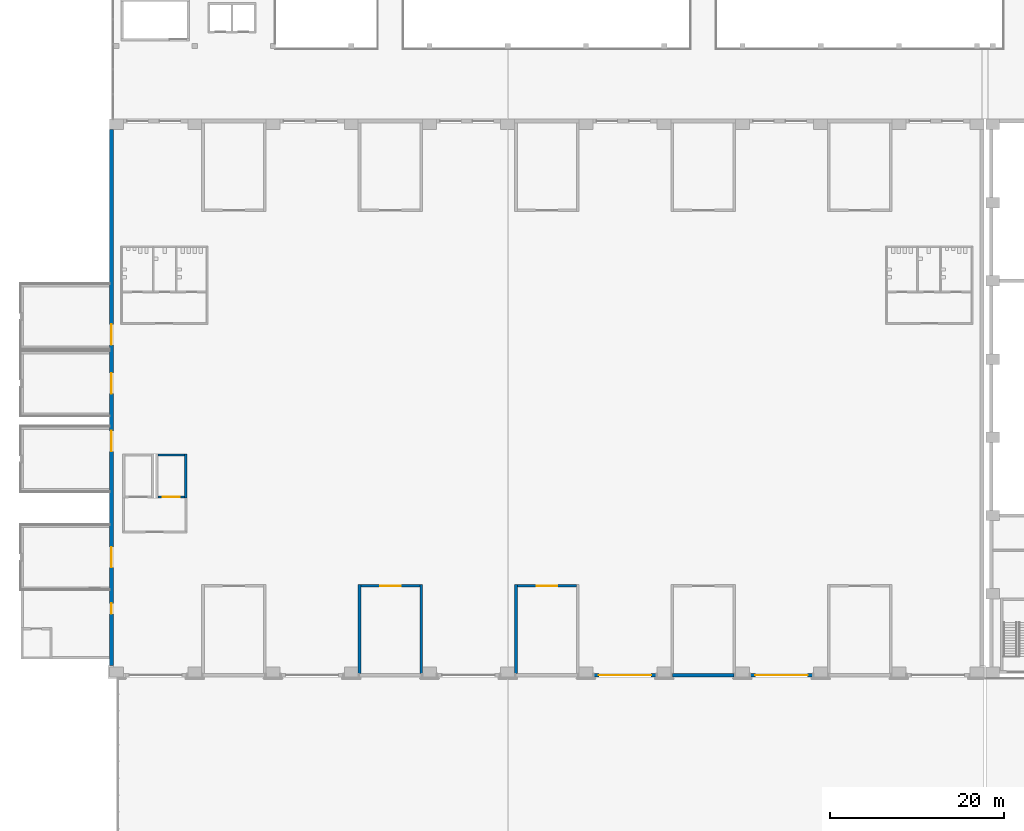
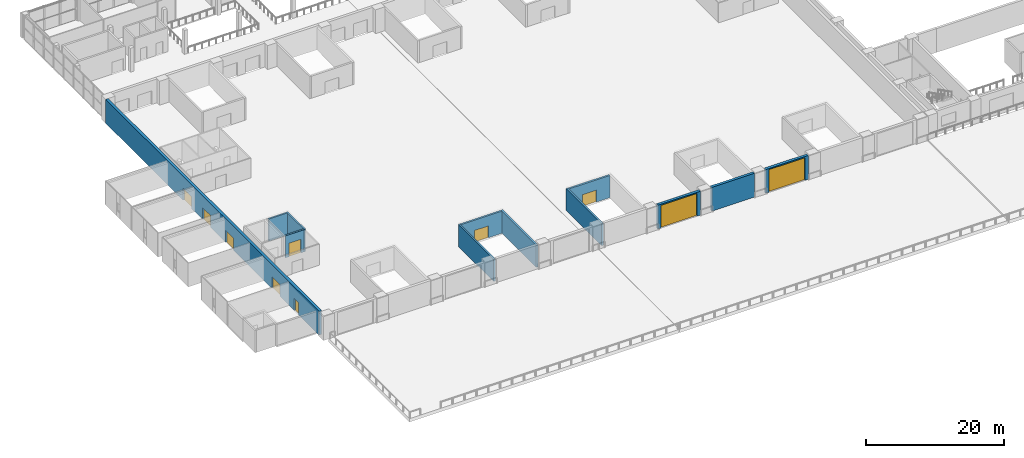
# One storey, part 15 of 39: 12 walls, 10 doors, 10 openings.
"""IFC4 building model written with IfcOpenShell, lengths in metres."""

from ifc_helpers import new_model, si_unit, direction, frame, frame_2d, origin, place, context, subcontext, project, spatial, rectangle, extrude, material, layer, layer_set, type_object, element, fill, save


model = new_model("IFC4")

# Units and contexts
model_context = context("Model", 3, precision=1e-05, world=origin(), true_north=direction((0.0, 1.0)))
body_context = subcontext(model_context, "Body", "Model", "MODEL_VIEW")
ifc_project = project(units=[si_unit("LENGTHUNIT", "METRE"), si_unit("AREAUNIT", "SQUARE_METRE"), si_unit("VOLUMEUNIT", "CUBIC_METRE"), si_unit("PLANEANGLEUNIT", "RADIAN"), si_unit("MASSUNIT", "GRAM", prefix="KILO")], contexts=[model_context])

# Site, building, storey
site_placement = place(None, origin())
site = spatial("IfcSite", under=ifc_project, at=site_placement, CompositionType="ELEMENT")
building_placement = place(site_placement, origin())
building = spatial("IfcBuilding", under=site, at=building_placement, Name="Aravalli Gate Trade Fair Centre", CompositionType="ELEMENT")
storey_placement = place(building_placement, frame((0.0, 0.0, 15.0)))
storey = spatial("IfcBuildingStorey", under=building, at=storey_placement, Name="L03", CompositionType="ELEMENT", Elevation=15.0)

# Wall
ifc_material_1 = material(Name="Concrete M40", Category="concrete")
ifc_layer_1 = layer(ifc_material_1, 0.25)
ifc_layer_set_1 = layer_set([ifc_layer_1], Name="Concrete M40")
wall_type_1 = type_object("IfcWallType", Name="Freight shaft wall RC 250", PredefinedType="SHEAR", material=ifc_layer_set_1)
wall_1_placement = place(storey_placement, frame((13.97509765625, 66.0, 0.0), z_axis=(0.0, 0.0, 1.0), x_axis=(0.0, 1.0, 0.0)))
element("IfcWall", 1, at=wall_1_placement, inside=storey, type_object=wall_type_1, Name="Freight lift 2 shaft wall E L03", PredefinedType="SHEAR", context=body_context, shape_type="SweptSolid", body=[
    extrude(rectangle(XDim=5.10009765625, YDim=0.25, at=frame_2d((2.550048828125, 0.0))), origin(), (0.0, 0.0, 1.0), 3.89990234375),
])

# Wall, opening, door
wall_2_placement = place(storey_placement, frame((10.75, 66.125, 0.0), z_axis=(0.0, 0.0, 1.0), x_axis=(1.0, 0.0, 0.0)))
wall_2 = element("IfcWall", 2, at=wall_2_placement, inside=storey, type_object=wall_type_1, Name="Freight lift 2 shaft wall F L03", PredefinedType="SHEAR", context=body_context, shape_type="SweptSolid", body=[
    extrude(rectangle(XDim=3.10009765625, YDim=0.25, at=frame_2d((1.550048828125, 0.0))), origin(), (0.0, 0.0, 1.0), 3.89990234375),
])
opening_1_placement = place(wall_2_placement, frame((0.550048828125, 0.0, 0.0)))
opening_1 = element("IfcOpeningElement", 3, at=opening_1_placement, cuts=wall_2, Name="Opening H-L03-42", PredefinedType="OPENING", context=body_context, shape_type="SweptSolid", body=[
    extrude(rectangle(XDim=2.0, YDim=2.39990234375, at=frame_2d((1.0, 1.199951171875))), frame((0.0, 0.135009765625, 0.0), z_axis=(0.0, -1.0, 0.0), x_axis=(1.0, 0.0, 0.0)), (0.0, 0.0, 1.0), 0.27001953125),
])
ifc_material_2 = material(Name="Steel", Category="steel")
door_type_1 = type_object("IfcDoorType", Name="Freight lift landing door", OperationType="SLIDING_TO_LEFT", PredefinedType="DOOR", material=ifc_material_2)
door_1_placement = place(opening_1_placement, origin())
door_1 = element("IfcDoor", 4, at=door_1_placement, inside=storey, type_object=door_type_1, Name="Freight lift 2 landing door L03", OperationType="SLIDING_TO_LEFT", OverallHeight=2.39990234375, OverallWidth=2.0, PredefinedType="DOOR", context=body_context, shape_type="SweptSolid", body=[
    extrude(rectangle(XDim=2.0, YDim=2.39990234375, at=frame_2d((1.0, 1.199951171875))), frame((0.0, 0.02490234375, 0.0), z_axis=(0.0, -1.0, 0.0), x_axis=(1.0, 0.0, 0.0)), (0.0, 0.0, 1.0), 0.050048828125),
])
fill(opening_1, door_1)

# Wall
wall_3_placement = place(storey_placement, frame((10.75, 70.97509765625, 0.0), z_axis=(0.0, 0.0, 1.0), x_axis=(1.0, 0.0, 0.0)))
element("IfcWall", 5, at=wall_3_placement, inside=storey, type_object=wall_type_1, Name="Freight lift 2 shaft wall B L03", PredefinedType="SHEAR", context=body_context, shape_type="SweptSolid", body=[
    extrude(rectangle(XDim=3.10009765625, YDim=0.25, at=frame_2d((1.550048828125, 0.0))), origin(), (0.0, 0.0, 1.0), 3.89990234375),
])

# Wall, opening, door
ifc_layer_2 = layer(ifc_material_1, 0.25, Name="Structural wall")
ifc_material_3 = material(Name="Ventilated air cavity")
ifc_layer_3 = layer(ifc_material_3, 0.10009765625, ventilated=True, Name="Ventilated cavity")
ifc_material_4 = material(Name="Terracotta rainscreen", Category="masonry")
ifc_layer_4 = layer(ifc_material_4, 0.10009765625, Name="Rainscreen cladding")
ifc_layer_set_2 = layer_set([ifc_layer_2, ifc_layer_3, ifc_layer_4], Name="Hall external wall 450")
wall_type_2 = type_object("IfcWallType", Name="Hall external wall 450", PredefinedType="SOLIDWALL", material=ifc_layer_set_2)
wall_4_placement = place(storey_placement, frame((60.949951171875, 45.625, 0.0), z_axis=(0.0, 0.0, 1.0), x_axis=(1.0, 0.0, 0.0)))
wall_4 = element("IfcWall", 6, at=wall_4_placement, inside=storey, type_object=wall_type_2, Name="Hall south wall bay 7 L03", PredefinedType="SOLIDWALL", context=body_context, shape_type="SweptSolid", body=[
    extrude(rectangle(XDim=7.10009765625, YDim=0.449951171875, at=frame_2d((3.550048828125, 0.0))), origin(), (0.0, 0.0, 1.0), 4.199951171875),
])
opening_2_placement = place(wall_4_placement, frame((0.550048828125, 0.0, 0.0)))
opening_2 = element("IfcOpeningElement", 7, at=opening_2_placement, cuts=wall_4, Name="Opening H-L03-10", PredefinedType="OPENING", context=body_context, shape_type="SweptSolid", body=[
    extrude(rectangle(XDim=6.0, YDim=4.0, at=frame_2d((3.0, 2.0))), frame((0.0, 0.23486328125, 0.0), z_axis=(0.0, -1.0, 0.0), x_axis=(1.0, 0.0, 0.0)), (0.0, 0.0, 1.0), 0.469970703125),
])
door_type_2 = type_object("IfcDoorType", Name="Drive-in rolling shutter 6000x4000", OperationType="ROLLINGUP", PredefinedType="DOOR", material=ifc_material_2)
door_2_placement = place(opening_2_placement, frame((6.0, 0.0, 0.0), z_axis=(0.0, 0.0, 1.0), x_axis=(-1.0, 0.0, 0.0)))
door_2 = element("IfcDoor", 8, at=door_2_placement, inside=storey, type_object=door_type_2, Name="Drive-in shutter bay 7", OperationType="ROLLINGUP", OverallHeight=4.0, OverallWidth=6.0, PredefinedType="DOOR", context=body_context, shape_type="SweptSolid", body=[
    extrude(rectangle(XDim=6.0, YDim=4.0, at=frame_2d((3.0, 2.0))), frame((0.0, 0.02490234375, 0.0), z_axis=(0.0, -1.0, 0.0), x_axis=(1.0, 0.0, 0.0)), (0.0, 0.0, 1.0), 0.050048828125),
])
fill(opening_2, door_2)

# Wall
wall_5_placement = place(storey_placement, frame((69.949951171875, 45.625, 0.0), z_axis=(0.0, 0.0, 1.0), x_axis=(1.0, 0.0, 0.0)))
element("IfcWall", 9, at=wall_5_placement, inside=storey, type_object=wall_type_2, Name="Hall south wall bay 8 L03", PredefinedType="SOLIDWALL", context=body_context, shape_type="SweptSolid", body=[
    extrude(rectangle(XDim=7.10009765625, YDim=0.449951171875, at=frame_2d((3.550048828125, 0.0))), origin(), (0.0, 0.0, 1.0), 4.199951171875),
])

# Wall, opening, door
wall_6_placement = place(storey_placement, frame((78.949951171875, 45.625, 0.0), z_axis=(0.0, 0.0, 1.0), x_axis=(1.0, 0.0, 0.0)))
wall_6 = element("IfcWall", 10, at=wall_6_placement, inside=storey, type_object=wall_type_2, Name="Hall south wall bay 9 L03", PredefinedType="SOLIDWALL", context=body_context, shape_type="SweptSolid", body=[
    extrude(rectangle(XDim=7.10009765625, YDim=0.449951171875, at=frame_2d((3.550048828125, 0.0))), origin(), (0.0, 0.0, 1.0), 4.199951171875),
])
opening_3_placement = place(wall_6_placement, frame((0.550048828125, 0.0, 0.0)))
opening_3 = element("IfcOpeningElement", 11, at=opening_3_placement, cuts=wall_6, Name="Opening H-L03-13", PredefinedType="OPENING", context=body_context, shape_type="SweptSolid", body=[
    extrude(rectangle(XDim=6.0, YDim=4.0, at=frame_2d((3.0, 2.0))), frame((0.0, 0.23486328125, 0.0), z_axis=(0.0, -1.0, 0.0), x_axis=(1.0, 0.0, 0.0)), (0.0, 0.0, 1.0), 0.469970703125),
])
door_3_placement = place(opening_3_placement, frame((6.0, 0.0, 0.0), z_axis=(0.0, 0.0, 1.0), x_axis=(-1.0, 0.0, 0.0)))
door_3 = element("IfcDoor", 12, at=door_3_placement, inside=storey, type_object=door_type_2, Name="Drive-in shutter bay 9", OperationType="ROLLINGUP", OverallHeight=4.0, OverallWidth=6.0, PredefinedType="DOOR", context=body_context, shape_type="SweptSolid", body=[
    extrude(rectangle(XDim=6.0, YDim=4.0, at=frame_2d((3.0, 2.0))), frame((0.0, 0.02490234375, 0.0), z_axis=(0.0, -1.0, 0.0), x_axis=(1.0, 0.0, 0.0)), (0.0, 0.0, 1.0), 0.050048828125),
])
fill(opening_3, door_3)

# Wall, openings, doors
wall_7_placement = place(storey_placement, frame((5.425048828125, 46.75, 0.0), z_axis=(0.0, 0.0, 1.0), x_axis=(0.0, 1.0, 0.0)))
wall_7 = element("IfcWall", 13, at=wall_7_placement, inside=storey, type_object=wall_type_2, Name="Hall west wall L03", PredefinedType="SOLIDWALL", context=body_context, shape_type="SweptSolid", body=[
    extrude(rectangle(XDim=61.64990234375, YDim=0.449951171875, at=frame_2d((30.824951171875, 0.0))), origin(), (0.0, 0.0, 1.0), 4.199951171875),
])
opening_4_placement = place(wall_7_placement, frame((11.27490234375, 0.0, 0.0)))
opening_4 = element("IfcOpeningElement", 14, at=opening_4_placement, cuts=wall_7, Name="Opening H-L03-19", PredefinedType="OPENING", context=body_context, shape_type="SweptSolid", body=[
    extrude(rectangle(XDim=2.35009765625, YDim=2.10009765625, at=frame_2d((1.175048828125, 1.050048828125))), frame((0.0, 0.23486328125, 0.0), z_axis=(0.0, -1.0, 0.0), x_axis=(1.0, 0.0, 0.0)), (0.0, 0.0, 1.0), 0.469970703125),
])
opening_5_placement = place(wall_7_placement, frame((31.27490234375, 0.0, 0.0)))
opening_5 = element("IfcOpeningElement", 15, at=opening_5_placement, cuts=wall_7, Name="Opening H-L03-20", PredefinedType="OPENING", context=body_context, shape_type="SweptSolid", body=[
    extrude(rectangle(XDim=2.35009765625, YDim=2.10009765625, at=frame_2d((1.175048828125, 1.050048828125))), frame((0.0, 0.23486328125, 0.0), z_axis=(0.0, -1.0, 0.0), x_axis=(1.0, 0.0, 0.0)), (0.0, 0.0, 1.0), 0.469970703125),
])
opening_6_placement = place(wall_7_placement, frame((24.625, 0.0, 0.0)))
opening_6 = element("IfcOpeningElement", 16, at=opening_6_placement, cuts=wall_7, Name="Opening H-L03-21", PredefinedType="OPENING", context=body_context, shape_type="SweptSolid", body=[
    extrude(rectangle(XDim=2.35009765625, YDim=2.10009765625, at=frame_2d((1.175048828125, 1.050048828125))), frame((0.0, 0.23486328125, 0.0), z_axis=(0.0, -1.0, 0.0), x_axis=(1.0, 0.0, 0.0)), (0.0, 0.0, 1.0), 0.469970703125),
])
opening_7_placement = place(wall_7_placement, frame((36.875, 0.0, 0.0)))
opening_7 = element("IfcOpeningElement", 17, at=opening_7_placement, cuts=wall_7, Name="Opening H-L03-22", PredefinedType="OPENING", context=body_context, shape_type="SweptSolid", body=[
    extrude(rectangle(XDim=2.35009765625, YDim=2.10009765625, at=frame_2d((1.175048828125, 1.050048828125))), frame((0.0, 0.23486328125, 0.0), z_axis=(0.0, -1.0, 0.0), x_axis=(1.0, 0.0, 0.0)), (0.0, 0.0, 1.0), 0.469970703125),
])
opening_8_placement = place(wall_7_placement, frame((5.949951171875, 0.0, 0.0)))
opening_8 = element("IfcOpeningElement", 18, at=opening_8_placement, cuts=wall_7, Name="Opening H-L03-44", PredefinedType="OPENING", context=body_context, shape_type="SweptSolid", body=[
    extrude(rectangle(XDim=1.199951171875, YDim=2.10009765625, at=frame_2d((0.60009765625, 1.050048828125))), frame((0.0, 0.23486328125, 0.0), z_axis=(0.0, -1.0, 0.0), x_axis=(1.0, 0.0, 0.0)), (0.0, 0.0, 1.0), 0.469970703125),
])
door_type_3 = type_object("IfcDoorType", Name="Firefighting lobby door FD120", OperationType="SINGLE_SWING_LEFT", PredefinedType="DOOR", material=ifc_material_2)
door_4_placement = place(opening_8_placement, origin())
door_4 = element("IfcDoor", 19, at=door_4_placement, inside=storey, type_object=door_type_3, Name="Firefighting lobby door L03 hall", OperationType="SINGLE_SWING_RIGHT", OverallHeight=2.10009765625, OverallWidth=1.199951171875, PredefinedType="DOOR", context=body_context, shape_type="SweptSolid", body=[
    extrude(rectangle(XDim=1.199951171875, YDim=2.10009765625, at=frame_2d((0.60009765625, 1.050048828125))), frame((0.0, 0.02490234375, 0.0), z_axis=(0.0, -1.0, 0.0), x_axis=(1.0, 0.0, 0.0)), (0.0, 0.0, 1.0), 0.050048828125),
])
fill(opening_8, door_4)
door_type_4 = type_object("IfcDoorType", Name="Stair exit double door FD120", OperationType="DOUBLE_DOOR_SINGLE_SWING", PredefinedType="DOOR", material=ifc_material_2)
door_5_placement = place(opening_4_placement, origin())
door_5 = element("IfcDoor", 20, at=door_5_placement, inside=storey, type_object=door_type_4, Name="Exit door ST-W1 L03", OperationType="DOUBLE_DOOR_SINGLE_SWING", OverallHeight=2.10009765625, OverallWidth=2.35009765625, PredefinedType="DOOR", context=body_context, shape_type="SweptSolid", body=[
    extrude(rectangle(XDim=2.35009765625, YDim=2.10009765625, at=frame_2d((1.175048828125, 1.050048828125))), frame((0.0, 0.02490234375, 0.0), z_axis=(0.0, -1.0, 0.0), x_axis=(1.0, 0.0, 0.0)), (0.0, 0.0, 1.0), 0.050048828125),
])
fill(opening_4, door_5)
door_6_placement = place(opening_5_placement, origin())
door_6 = element("IfcDoor", 21, at=door_6_placement, inside=storey, type_object=door_type_4, Name="Exit door ST-W2 L03", OperationType="DOUBLE_DOOR_SINGLE_SWING", OverallHeight=2.10009765625, OverallWidth=2.35009765625, PredefinedType="DOOR", context=body_context, shape_type="SweptSolid", body=[
    extrude(rectangle(XDim=2.35009765625, YDim=2.10009765625, at=frame_2d((1.175048828125, 1.050048828125))), frame((0.0, 0.02490234375, 0.0), z_axis=(0.0, -1.0, 0.0), x_axis=(1.0, 0.0, 0.0)), (0.0, 0.0, 1.0), 0.050048828125),
])
fill(opening_5, door_6)
door_7_placement = place(opening_6_placement, origin())
door_7 = element("IfcDoor", 22, at=door_7_placement, inside=storey, type_object=door_type_4, Name="Exit door ST-W4 L03", OperationType="DOUBLE_DOOR_SINGLE_SWING", OverallHeight=2.10009765625, OverallWidth=2.35009765625, PredefinedType="DOOR", context=body_context, shape_type="SweptSolid", body=[
    extrude(rectangle(XDim=2.35009765625, YDim=2.10009765625, at=frame_2d((1.175048828125, 1.050048828125))), frame((0.0, 0.02490234375, 0.0), z_axis=(0.0, -1.0, 0.0), x_axis=(1.0, 0.0, 0.0)), (0.0, 0.0, 1.0), 0.050048828125),
])
fill(opening_6, door_7)
door_8_placement = place(opening_7_placement, origin())
door_8 = element("IfcDoor", 23, at=door_8_placement, inside=storey, type_object=door_type_4, Name="Exit door ST-W5 L03", OperationType="DOUBLE_DOOR_SINGLE_SWING", OverallHeight=2.10009765625, OverallWidth=2.35009765625, PredefinedType="DOOR", context=body_context, shape_type="SweptSolid", body=[
    extrude(rectangle(XDim=2.35009765625, YDim=2.10009765625, at=frame_2d((1.175048828125, 1.050048828125))), frame((0.0, 0.02490234375, 0.0), z_axis=(0.0, -1.0, 0.0), x_axis=(1.0, 0.0, 0.0)), (0.0, 0.0, 1.0), 0.050048828125),
])
fill(opening_7, door_8)

# Walls
ifc_layer_5 = layer(ifc_material_1, 0.300048828125)
ifc_layer_set_3 = layer_set([ifc_layer_5], Name="Concrete M40")
wall_type_3 = type_object("IfcWallType", Name="Stair tower wall RC 300", PredefinedType="SHEAR", material=ifc_layer_set_3)
for number, where, z_axis, x_axis, name in (
    (24, (33.949951171875, 45.85009765625, 0.0), (0.0, 0.0, 1.0), (0.0, 1.0, 0.0), "Stair tower S04 wall W L03"),
    (25, (41.050048828125, 45.85009765625, 0.0), (0.0, 0.0, 1.0), (0.0, 1.0, 0.0), "Stair tower S04 wall E L03"),
):
    element("IfcWall", number, at=place(storey_placement, frame(where, z_axis=z_axis, x_axis=x_axis)), inside=storey, type_object=wall_type_3, Name=name, PredefinedType="SHEAR", context=body_context, shape_type="SweptSolid", body=[
        extrude(rectangle(XDim=10.199951171875, YDim=0.300048828125, at=frame_2d((5.10009765625, 0.0))), origin(), (0.0, 0.0, 1.0), 3.89990234375),
    ])

# Wall, opening, door
wall_8_placement = place(storey_placement, frame((34.10009765625, 55.89990234375, 0.0), z_axis=(0.0, 0.0, 1.0), x_axis=(1.0, 0.0, 0.0)))
wall_8 = element("IfcWall", 26, at=wall_8_placement, inside=storey, type_object=wall_type_3, Name="Stair tower S04 wall F L03", PredefinedType="SHEAR", context=body_context, shape_type="SweptSolid", body=[
    extrude(rectangle(XDim=6.7998046875, YDim=0.300048828125, at=frame_2d((3.39990234375, 0.0))), origin(), (0.0, 0.0, 1.0), 3.89990234375),
])
opening_9_placement = place(wall_8_placement, frame((2.22509765625, 0.0, 0.0)))
opening_9 = element("IfcOpeningElement", 27, at=opening_9_placement, cuts=wall_8, Name="Opening H-L03-24", PredefinedType="OPENING", context=body_context, shape_type="SweptSolid", body=[
    extrude(rectangle(XDim=2.35009765625, YDim=2.10009765625, at=frame_2d((1.175048828125, 1.050048828125))), frame((0.0, 0.159912109375, 0.0), z_axis=(0.0, -1.0, 0.0), x_axis=(1.0, 0.0, 0.0)), (0.0, 0.0, 1.0), 0.320068359375),
])
door_type_5 = type_object("IfcDoorType", Name="Stair lobby double door FD120", OperationType="DOUBLE_DOOR_SINGLE_SWING", PredefinedType="DOOR", material=ifc_material_2)
door_9_placement = place(opening_9_placement, frame((2.35009765625, 0.0, 0.0), z_axis=(0.0, 0.0, 1.0), x_axis=(-1.0, 0.0, 0.0)))
door_9 = element("IfcDoor", 28, at=door_9_placement, inside=storey, type_object=door_type_5, Name="Exit door ST-S04 L03", OperationType="DOUBLE_DOOR_SINGLE_SWING", OverallHeight=2.10009765625, OverallWidth=2.35009765625, PredefinedType="DOOR", context=body_context, shape_type="SweptSolid", body=[
    extrude(rectangle(XDim=2.35009765625, YDim=2.10009765625, at=frame_2d((1.175048828125, 1.050048828125))), frame((0.0, 0.02490234375, 0.0), z_axis=(0.0, -1.0, 0.0), x_axis=(1.0, 0.0, 0.0)), (0.0, 0.0, 1.0), 0.050048828125),
])
fill(opening_9, door_9)

# Wall
wall_9_placement = place(storey_placement, frame((51.949951171875, 45.85009765625, 0.0), z_axis=(0.0, 0.0, 1.0), x_axis=(0.0, 1.0, 0.0)))
element("IfcWall", 29, at=wall_9_placement, inside=storey, type_object=wall_type_3, Name="Stair tower S06 wall W L03", PredefinedType="SHEAR", context=body_context, shape_type="SweptSolid", body=[
    extrude(rectangle(XDim=10.199951171875, YDim=0.300048828125, at=frame_2d((5.10009765625, 0.0))), origin(), (0.0, 0.0, 1.0), 3.89990234375),
])

# Wall, opening, door
wall_10_placement = place(storey_placement, frame((52.10009765625, 55.89990234375, 0.0), z_axis=(0.0, 0.0, 1.0), x_axis=(1.0, 0.0, 0.0)))
wall_10 = element("IfcWall", 30, at=wall_10_placement, inside=storey, type_object=wall_type_3, Name="Stair tower S06 wall F L03", PredefinedType="SHEAR", context=body_context, shape_type="SweptSolid", body=[
    extrude(rectangle(XDim=6.7998046875, YDim=0.300048828125, at=frame_2d((3.39990234375, 0.0))), origin(), (0.0, 0.0, 1.0), 3.89990234375),
])
opening_10_placement = place(wall_10_placement, frame((2.22509765625, 0.0, 0.0)))
opening_10 = element("IfcOpeningElement", 31, at=opening_10_placement, cuts=wall_10, Name="Opening H-L03-25", PredefinedType="OPENING", context=body_context, shape_type="SweptSolid", body=[
    extrude(rectangle(XDim=2.35009765625, YDim=2.10009765625, at=frame_2d((1.175048828125, 1.050048828125))), frame((0.0, 0.159912109375, 0.0), z_axis=(0.0, -1.0, 0.0), x_axis=(1.0, 0.0, 0.0)), (0.0, 0.0, 1.0), 0.320068359375),
])
door_10_placement = place(opening_10_placement, frame((2.35009765625, 0.0, 0.0), z_axis=(0.0, 0.0, 1.0), x_axis=(-1.0, 0.0, 0.0)))
door_10 = element("IfcDoor", 32, at=door_10_placement, inside=storey, type_object=door_type_5, Name="Exit door ST-S06 L03", OperationType="DOUBLE_DOOR_SINGLE_SWING", OverallHeight=2.10009765625, OverallWidth=2.35009765625, PredefinedType="DOOR", context=body_context, shape_type="SweptSolid", body=[
    extrude(rectangle(XDim=2.35009765625, YDim=2.10009765625, at=frame_2d((1.175048828125, 1.050048828125))), frame((0.0, 0.02490234375, 0.0), z_axis=(0.0, -1.0, 0.0), x_axis=(1.0, 0.0, 0.0)), (0.0, 0.0, 1.0), 0.050048828125),
])
fill(opening_10, door_10)

save(model, "model.ifc")
